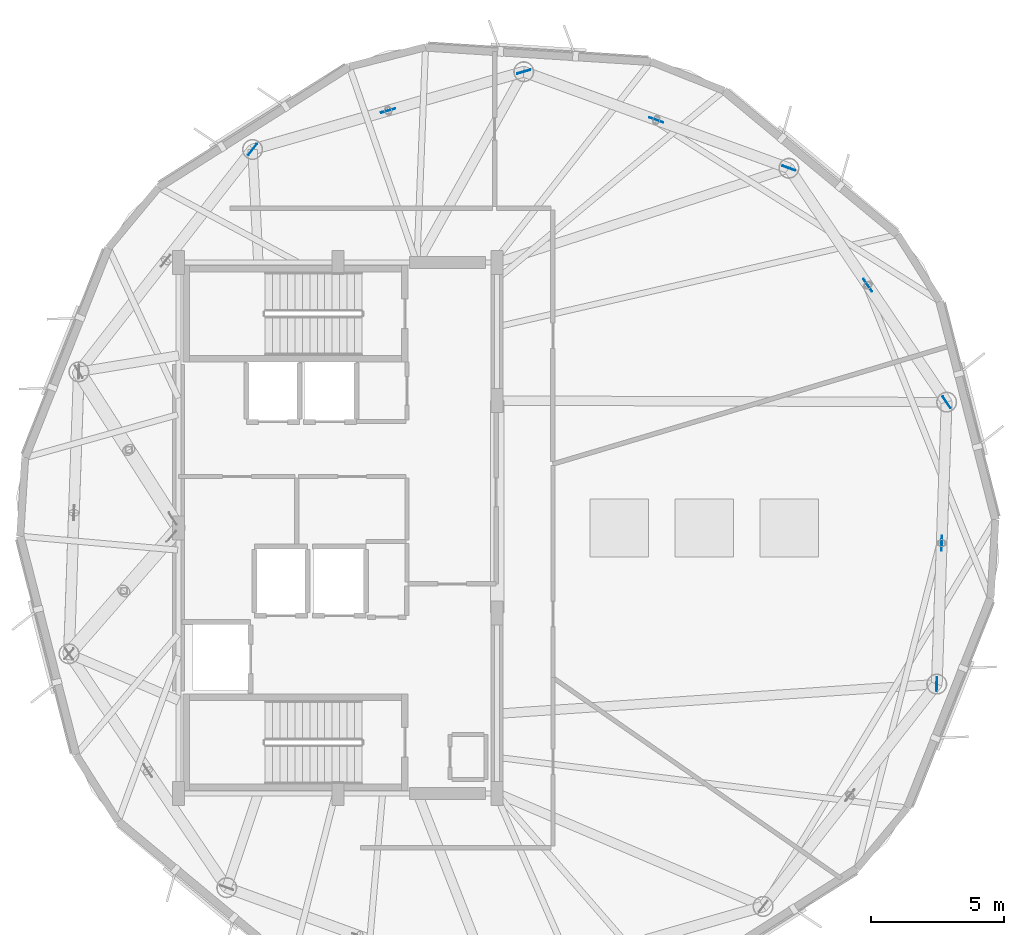
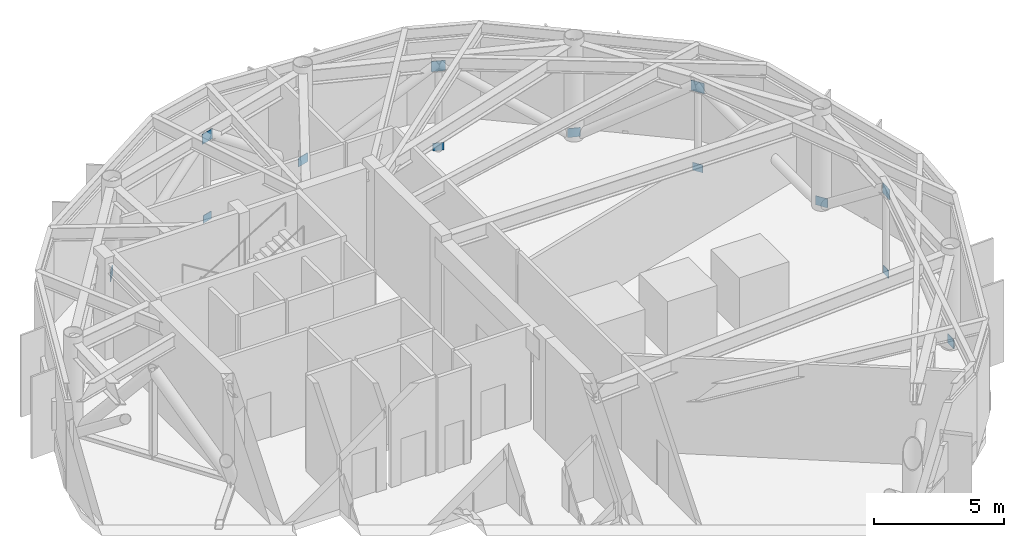
# One storey, part 8 of 14: 13 plates.
"""IFC4 building model written with IfcOpenShell, lengths in metres."""

from ifc_helpers import new_model, si_unit, direction, frame, origin, origin_2d, place, context, subcontext, project, spatial, rectangle, extrude, material, layer, layer_set, type_object, element, save


model = new_model("IFC4")

# Units and contexts
model_context = context("Model", 3, precision=1e-05, world=origin(), true_north=direction((0.0, 1.0)))
body_context = subcontext(model_context, "Body", "Model", "MODEL_VIEW")
ifc_project = project(units=[si_unit("LENGTHUNIT", "METRE"), si_unit("AREAUNIT", "SQUARE_METRE"), si_unit("VOLUMEUNIT", "CUBIC_METRE"), si_unit("PLANEANGLEUNIT", "RADIAN"), si_unit("MASSUNIT", "GRAM", prefix="KILO")], contexts=[model_context])

# Site, building, storey
site_placement = place(None, origin())
site = spatial("IfcSite", under=ifc_project, at=site_placement, CompositionType="ELEMENT")
building_placement = place(site_placement, origin())
building = spatial("IfcBuilding", under=site, at=building_placement, Name="Soratama Intermodal Tower", CompositionType="ELEMENT")
storey_placement = place(building_placement, frame((0.0, 0.0, 283.75)))
storey = spatial("IfcBuildingStorey", under=building, at=storey_placement, Name="L72", CompositionType="ELEMENT", Elevation=283.75)

# Plates
ifc_material = material(Name="Structural steel ASTM A992 Grade 50", Category="steel")
ifc_layer = layer(ifc_material, 0.030029296875)
ifc_layer_set = layer_set([ifc_layer], Name="Structural steel ASTM A992 Grade 50")
plate_type = type_object("IfcPlateType", Name="PL-GUSSET-30", PredefinedType="USERDEFINED", material=ifc_layer_set)
plate_1_placement = place(storey_placement, frame((58.5615234375, 34.1474609375, 3.732421875), z_axis=(0.0, 0.0, 1.0), x_axis=(-0.559192903471, 0.829037572555, 0.0)))
element("IfcPlate", 1, at=plate_1_placement, inside=storey, type_object=plate_type, Name="L72 Belt Truss Apex Gusset 01", ObjectType="GUSSET PLATE", PredefinedType="USERDEFINED", context=body_context, shape_type="SweptSolid", body=[
    extrude(rectangle(XDim=0.56005859375, YDim=0.030029296875, at=origin_2d()), origin(), (0.0, 0.0, 1.0), 0.47998046875),
])
plate_2_placement = place(storey_placement, frame((61.53369140625, 29.740966796875, -0.02001953125), z_axis=(0.0, 0.0, 1.0), x_axis=(-0.559192903471, 0.829037572555, 0.0)))
element("IfcPlate", 2, at=plate_2_placement, inside=storey, type_object=plate_type, Name="L72 Belt Truss Foot Gusset 01", ObjectType="GUSSET PLATE", PredefinedType="USERDEFINED", context=body_context, shape_type="SweptSolid", body=[
    extrude(rectangle(XDim=0.52001953125, YDim=0.030029296875, at=origin_2d()), origin(), (0.0, 0.0, 1.0), 0.419921875),
])
plate_3_placement = place(storey_placement, frame((50.5947265625, 40.37158203125, 3.732421875), z_axis=(0.0, 0.0, 1.0), x_axis=(-0.939692620786, 0.342020143326, 0.0)))
element("IfcPlate", 3, at=plate_3_placement, inside=storey, type_object=plate_type, Name="L72 Belt Truss Apex Gusset 02", ObjectType="GUSSET PLATE", PredefinedType="USERDEFINED", context=body_context, shape_type="SweptSolid", body=[
    extrude(rectangle(XDim=0.56005859375, YDim=0.030029296875, at=origin_2d()), origin(), (0.0, 0.0, 1.0), 0.47998046875),
])
plate_4_placement = place(storey_placement, frame((55.58935546875, 38.5537109375, -0.02001953125), z_axis=(0.0, 0.0, 1.0), x_axis=(-0.939692620786, 0.342020143326, 0.0)))
element("IfcPlate", 4, at=plate_4_placement, inside=storey, type_object=plate_type, Name="L72 Belt Truss Foot Gusset 02", ObjectType="GUSSET PLATE", PredefinedType="USERDEFINED", context=body_context, shape_type="SweptSolid", body=[
    extrude(rectangle(XDim=0.52001953125, YDim=0.030029296875, at=origin_2d()), origin(), (0.0, 0.0, 1.0), 0.419921875),
])
plate_5_placement = place(storey_placement, frame((40.4912109375, 40.724609375, 3.732421875), z_axis=(0.0, 0.0, 1.0), x_axis=(-0.961261695938, -0.275637355817, 0.0)))
element("IfcPlate", 5, at=plate_5_placement, inside=storey, type_object=plate_type, Name="L72 Belt Truss Apex Gusset 03", ObjectType="GUSSET PLATE", PredefinedType="USERDEFINED", context=body_context, shape_type="SweptSolid", body=[
    extrude(rectangle(XDim=0.56005859375, YDim=0.030029296875, at=origin_2d()), origin(), (0.0, 0.0, 1.0), 0.47998046875),
])
for number, where, z_axis, x_axis, name in (
    (6, (45.600341796875, 42.189453125, -0.02001953125), (0.0, 0.0, 1.0), (-0.961261695938, -0.275637355817, 0.0), "L72 Belt Truss Foot Gusset 03"),
    (7, (35.3818359375, 39.259521484375, -0.02001953125), (0.0, 0.0, 1.0), (-0.615661475326, -0.788010753607, 0.0), "L72 Belt Truss Foot Gusset 04"),
):
    element("IfcPlate", number, at=place(storey_placement, frame(where, z_axis=z_axis, x_axis=x_axis)), inside=storey, type_object=plate_type, Name=name, ObjectType="GUSSET PLATE", PredefinedType="USERDEFINED", context=body_context, shape_type="SweptSolid", body=[
        extrude(rectangle(XDim=0.52001953125, YDim=0.030029296875, at=origin_2d()), origin(), (0.0, 0.0, 1.0), 0.419921875),
    ])
plate_6_placement = place(storey_placement, frame((61.34814453125, 24.42919921875, 3.732421875), z_axis=(0.0, 0.0, 1.0), x_axis=(0.034899496703, 0.999390827019, 0.0)))
element("IfcPlate", 8, at=plate_6_placement, inside=storey, type_object=plate_type, Name="L72 Belt Truss Apex Gusset 10", ObjectType="GUSSET PLATE", PredefinedType="USERDEFINED", context=body_context, shape_type="SweptSolid", body=[
    extrude(rectangle(XDim=0.56005859375, YDim=0.030029296875, at=origin_2d()), origin(), (0.0, 0.0, 1.0), 0.47998046875),
])
plate_7_placement = place(storey_placement, frame((61.16259765625, 19.1171875, -0.02001953125), z_axis=(0.0, 0.0, 1.0), x_axis=(0.034899496703, 0.999390827019, 0.0)))
element("IfcPlate", 9, at=plate_7_placement, inside=storey, type_object=plate_type, Name="L72 Belt Truss Foot Gusset 10", ObjectType="GUSSET PLATE", PredefinedType="USERDEFINED", context=body_context, shape_type="SweptSolid", body=[
    extrude(rectangle(XDim=0.52001953125, YDim=0.030029296875, at=origin_2d()), origin(), (0.0, 0.0, 1.0), 0.419921875),
])
for number, where, z_axis, x_axis, name in (
    (10, (58.5615234375, 34.1474609375, -0.01025390625), (0.0, 0.0, 1.0), (-0.559192903471, 0.829037572555, 0.0), "L72 Turbine Post Foot Plate 01"),
    (11, (50.5947265625, 40.37158203125, -0.01025390625), (0.0, 0.0, 1.0), (-0.939692620786, 0.342020143326, 0.0), "L72 Turbine Post Foot Plate 02"),
    (12, (40.4912109375, 40.724609375, -0.01025390625), (0.0, 0.0, 1.0), (-0.961261695938, -0.275637355817, 0.0), "L72 Turbine Post Foot Plate 03"),
    (13, (61.34814453125, 24.42919921875, -0.01025390625), (0.0, 0.0, 1.0), (0.034899496703, 0.999390827019, 0.0), "L72 Turbine Post Foot Plate 05"),
):
    element("IfcPlate", number, at=place(storey_placement, frame(where, z_axis=z_axis, x_axis=x_axis)), inside=storey, type_object=plate_type, Name=name, ObjectType="GUSSET PLATE", PredefinedType="USERDEFINED", context=body_context, shape_type="SweptSolid", body=[
        extrude(rectangle(XDim=0.43994140625, YDim=0.030029296875, at=origin_2d()), origin(), (0.0, 0.0, 1.0), 0.360107421875),
    ])

save(model, "model.ifc")
